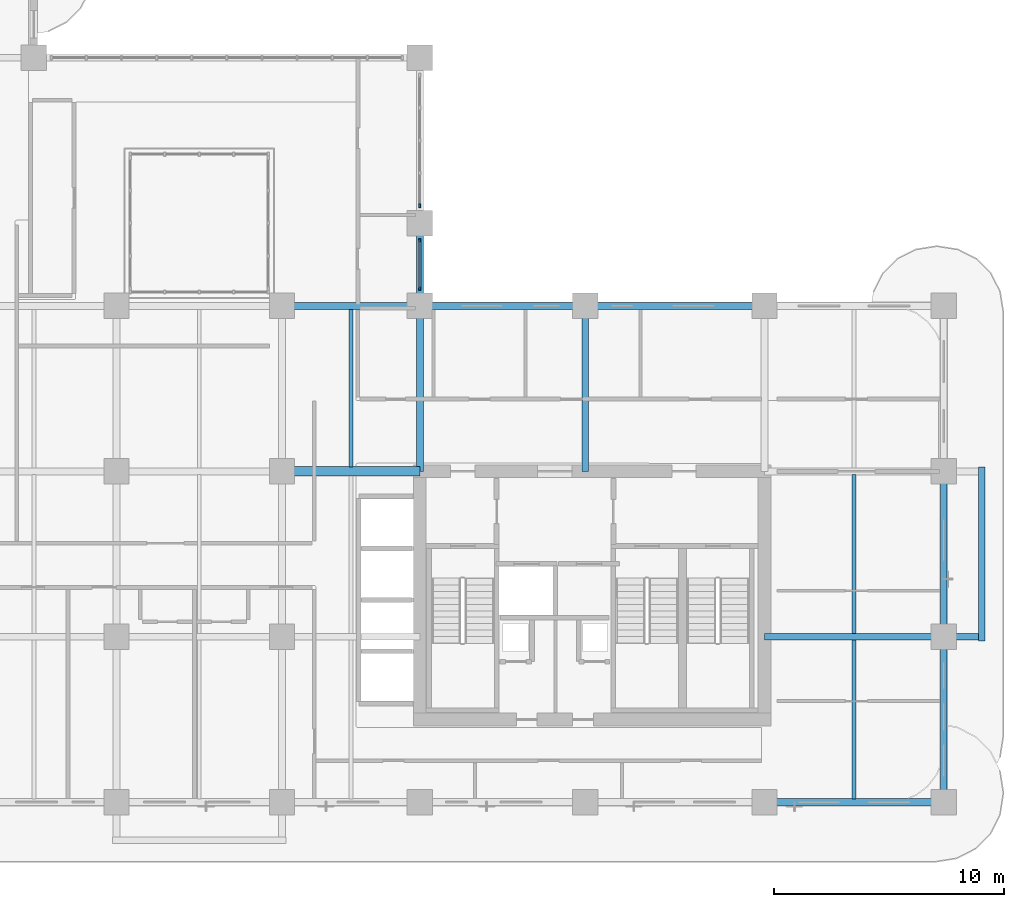
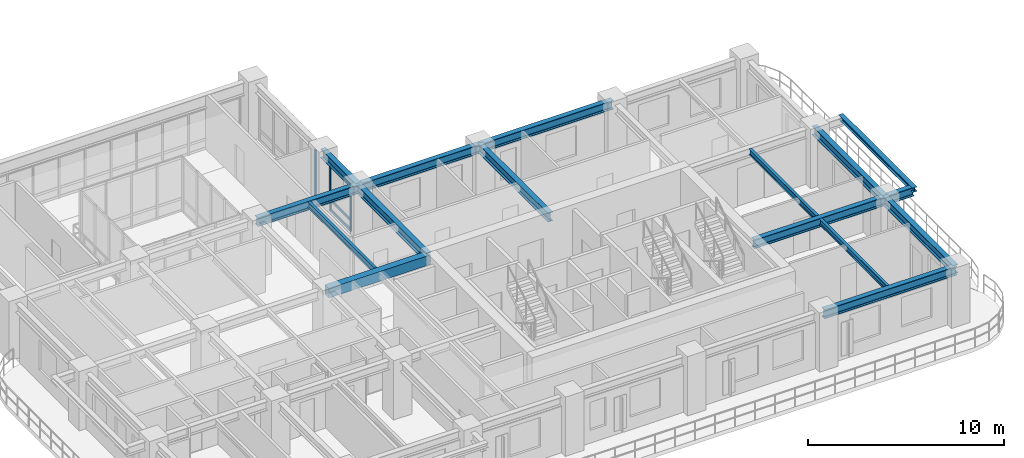
# One storey, part 4 of 22: 15 beams, 6 members, 2 elements without a shape of their own.
"""IFC4 building model written with IfcOpenShell, lengths in metres."""

import ifcopenshell
import ifcopenshell.guid

model = None  # the IFC model being written
_history = None  # IfcOwnerHistory: only IFC2X3 demands one
_inside = {}  # id of a spatial element -> (the spatial element, [elements in it])
_under = {}  # id of a project, library or spatial element -> (it, [spatial elements below it])
_declared = {}  # id of a project -> (the project, [libraries it declares])
_typed = {}  # id of a type object -> (the type object, [elements of that type])
_made_of = {}  # id of a material, layer set ... -> (it, [elements and type objects made of it])


def new_model(schema):
    """Start an empty IFC model of exactly this schema.

    Asked for "IFC4X3", IfcOpenShell would pick the latest addendum, in which some entities
    have other attributes; the version numbers below select the first issue.
    IFC2X3 requires an IfcOwnerHistory on every rooted entity: one is made here for all.
    """
    global model, _history
    if schema == "IFC4X3":
        model = ifcopenshell.file(schema_version=(4, 3, 0, 0))
    else:
        model = ifcopenshell.file(schema=schema)
    _inside.clear()
    _under.clear()
    _declared.clear()
    _typed.clear()
    _made_of.clear()
    _history = None
    if model.schema == "IFC2X3":
        org = make("IfcOrganization", Name="unknown")
        user = make(
            "IfcPersonAndOrganization",
            ThePerson=make("IfcPerson", FamilyName="unknown"),
            TheOrganization=org,
        )
        app = make(
            "IfcApplication",
            ApplicationDeveloper=org,
            Version="unknown",
            ApplicationFullName="unknown",
            ApplicationIdentifier="unknown",
        )
        _history = make(
            "IfcOwnerHistory",
            OwningUser=user,
            OwningApplication=app,
            ChangeAction="ADDED",
            CreationDate=0,
        )
    return model


def make(cls, **values):
    """One entity of the class cls with the attributes given. An attribute that is None is left unset."""
    return model.create_entity(
        cls, **{name: value for name, value in values.items() if value is not None}
    )


def rooted(cls, **values):
    """An entity with a GlobalId (a new one), such as an element, a storey or a relation."""
    return make(cls, GlobalId=ifcopenshell.guid.new(), OwnerHistory=_history, **values)


def si_unit(unit_type, name, prefix=None):
    """IfcSIUnit, for example si_unit("LENGTHUNIT", "METRE", prefix="MILLI")."""
    return make("IfcSIUnit", UnitType=unit_type, Prefix=prefix, Name=name)


def derived_unit(unit_type, elements):
    """IfcDerivedUnit: a product of units, each with its exponent."""
    return make(
        "IfcDerivedUnit",
        Elements=[
            make("IfcDerivedUnitElement", Unit=unit, Exponent=power)
            for unit, power in elements
        ],
        UnitType=unit_type,
    )


def assignment(units):
    """IfcUnitAssignment: the units of a project."""
    return None if units is None else make("IfcUnitAssignment", Units=units)


def point(xyz):
    """IfcCartesianPoint."""
    return None if xyz is None else make("IfcCartesianPoint", Coordinates=xyz)


def direction(xyz):
    """IfcDirection."""
    return None if xyz is None else make("IfcDirection", DirectionRatios=xyz)


def frame(location, z_axis=None, x_axis=None):
    """IfcAxis2Placement3D, a coordinate frame: its origin and axes. An axis left out is left unset."""
    return make(
        "IfcAxis2Placement3D",
        Location=point(location),
        Axis=direction(z_axis),
        RefDirection=direction(x_axis),
    )


def frame_2d(location, x_axis=None):
    """IfcAxis2Placement2D, a coordinate frame in the plane: its origin and x axis."""
    return make(
        "IfcAxis2Placement2D", Location=point(location), RefDirection=direction(x_axis)
    )


def origin():
    """The frame at (0, 0, 0) with its axes left unset."""
    return frame((0.0, 0.0, 0.0))


def origin_2d():
    """The frame at (0, 0) in the plane with its x axis left unset."""
    return frame_2d((0.0, 0.0))


def place(relative_to, where):
    """IfcLocalPlacement: puts the frame where relative to a parent placement (None: the world)."""
    return make(
        "IfcLocalPlacement", PlacementRelTo=relative_to, RelativePlacement=where
    )


def context(
    kind, dimensions, precision=None, world=None, true_north=None, identifier=None
):
    """IfcGeometricRepresentationContext, for example the 3D "Model" context."""
    return make(
        "IfcGeometricRepresentationContext",
        ContextIdentifier=identifier,
        ContextType=kind,
        CoordinateSpaceDimension=dimensions,
        Precision=precision,
        WorldCoordinateSystem=world,
        TrueNorth=true_north,
    )


def subcontext(parent, identifier, kind, view, scale=None):
    """IfcGeometricRepresentationSubContext, for example "Body" below "Model"."""
    return make(
        "IfcGeometricRepresentationSubContext",
        ContextIdentifier=identifier,
        ContextType=kind,
        ParentContext=parent,
        TargetScale=scale,
        TargetView=view,
    )


def project(units=None, contexts=None):
    """IfcProject with its units and contexts."""
    return rooted(
        "IfcProject",
        Name="project",
        RepresentationContexts=contexts,
        UnitsInContext=assignment(units),
    )


def spatial(cls, under=None, at=None, **own):
    """A site, building, storey or space (cls), placed at a placement, below another one or the project."""
    s = rooted(cls, ObjectPlacement=at, **own)
    if under is not None:
        _under.setdefault(under.id(), (under, []))[1].append(s)
    return s


def profile(cls, at=None, kind="AREA", **sizes):
    """A parametric profile (cls). Its sizes go by their IFC names, for example OverallWidth=200.0."""
    return make(cls, ProfileType=kind, Position=at, **sizes)


def rectangle(**sizes):
    """IfcRectangleProfileDef."""
    return profile("IfcRectangleProfileDef", **sizes)


def i_section(**sizes):
    """IfcIShapeProfileDef."""
    return profile("IfcIShapeProfileDef", **sizes)


def extrude(swept, where, along, depth):
    """IfcExtrudedAreaSolid: the profile swept, set in the frame where, extruded along a direction by depth."""
    return make(
        "IfcExtrudedAreaSolid",
        SweptArea=swept,
        Position=where,
        ExtrudedDirection=direction(along),
        Depth=depth,
    )


def shape(context_of_items, identifier, shape_type, items):
    """IfcShapeRepresentation: the items that make up one representation, for example the "Body"."""
    return make(
        "IfcShapeRepresentation",
        ContextOfItems=context_of_items,
        RepresentationIdentifier=identifier,
        RepresentationType=shape_type,
        Items=items,
    )


def source(mapping_origin, context_of_items, identifier, shape_type, items):
    """IfcRepresentationMap: a shape defined once, which mapped items show again and again."""
    return make(
        "IfcRepresentationMap",
        MappingOrigin=mapping_origin,
        MappedRepresentation=shape(context_of_items, identifier, shape_type, items),
    )


def transform(
    local_origin,
    x_axis=None,
    y_axis=None,
    z_axis=None,
    scale=None,
    scale2=None,
    scale3=None,
    uniform=True,
):
    """IfcCartesianTransformationOperator3D, or its non-uniform kind. x_axis, y_axis, z_axis: its Axis1, 2, 3."""
    if uniform:
        return make(
            "IfcCartesianTransformationOperator3D",
            Axis1=direction(x_axis),
            Axis2=direction(y_axis),
            LocalOrigin=point(local_origin),
            Scale=scale,
            Axis3=direction(z_axis),
        )
    return make(
        "IfcCartesianTransformationOperator3DnonUniform",
        Axis1=direction(x_axis),
        Axis2=direction(y_axis),
        LocalOrigin=point(local_origin),
        Scale=scale,
        Axis3=direction(z_axis),
        Scale2=scale2,
        Scale3=scale3,
    )


def mapped(mapping_source, mapping_target):
    """IfcMappedItem: shows the shape of a source again, moved by a transform."""
    return make(
        "IfcMappedItem", MappingSource=mapping_source, MappingTarget=mapping_target
    )


def material(Name=None, Category=None):
    """IfcMaterial."""
    return make("IfcMaterial", Name=Name, Category=Category)


def layer(
    of_material, thickness, ventilated=None, Name=None, Category=None, Priority=None
):
    """IfcMaterialLayer: one layer of a wall or slab, of a material (None: an air gap)."""
    return make(
        "IfcMaterialLayer",
        Material=of_material,
        LayerThickness=thickness,
        IsVentilated=ventilated,
        Name=Name,
        Category=Category,
        Priority=Priority,
    )


def layer_set(layers, Name=None):
    """IfcMaterialLayerSet."""
    return make("IfcMaterialLayerSet", MaterialLayers=layers, LayerSetName=Name)


def material_profile(
    of_material, cross_section, Name=None, Category=None, Priority=None
):
    """IfcMaterialProfile: a cross section and its material."""
    return make(
        "IfcMaterialProfile",
        Name=Name,
        Material=of_material,
        Profile=cross_section,
        Priority=Priority,
        Category=Category,
    )


def profile_set(profiles, Name=None, composite=None):
    """IfcMaterialProfileSet."""
    return make(
        "IfcMaterialProfileSet",
        Name=Name,
        MaterialProfiles=profiles,
        CompositeProfile=composite,
    )


def made_of(thing, what):
    """Note that an element or type object is made of a material, layer set ...; save() writes the relation."""
    if what is not None:
        _made_of.setdefault(what.id(), (what, []))[1].append(thing)
    return thing


def type_object(cls, material=None, **own):
    """A type object (cls), such as IfcWallType, which elements share."""
    return made_of(rooted(cls, **own), material)


def type_shapes(of_type, sources):
    """Give a type object the sources (RepresentationMaps) that its elements show as mapped items."""
    of_type.RepresentationMaps = sources


def element(
    cls,
    number,
    at=None,
    inside=None,
    cuts=None,
    type_object=None,
    material=None,
    context=None,
    identifier="Body",
    shape_type=None,
    held_by="IfcProductDefinitionShape",
    body=None,
    shapes=None,
    **own,
):
    """One element of the class cls, such as IfcWall. Its Tag is "e" and its number.

    at: its placement. inside: the storey or other place that contains it. cuts: it is an
    opening in that element (IfcRelVoidsElement). A single representation is given by context,
    identifier, shape_type and body (its items); several are given by shapes. held_by: the class
    of the entity that holds the representations. save() writes the other relations.
    """
    e = rooted(cls, Tag="e%d" % number, ObjectPlacement=at, **own)
    if body is not None:
        shapes = [shape(context, identifier, shape_type, body)]
    if shapes is not None:
        e.Representation = make(held_by, Representations=shapes)
    if inside is not None:
        _inside.setdefault(inside.id(), (inside, []))[1].append(e)
    if cuts is not None:
        rooted(
            "IfcRelVoidsElement", RelatingBuildingElement=cuts, RelatedOpeningElement=e
        )
    if type_object is not None:
        _typed.setdefault(type_object.id(), (type_object, []))[1].append(e)
    return made_of(e, material)


def aggregate(whole, parts):
    """IfcRelAggregates: a whole, such as a stair, and the parts it consists of."""
    return rooted("IfcRelAggregates", RelatingObject=whole, RelatedObjects=parts)


def save(model, path):
    """Write the relations noted so far, then the file.

    IfcRelAggregates (storeys below a building ...), IfcRelContainedInSpatialStructure (elements
    in a storey), IfcRelDefinesByType, IfcRelAssociatesMaterial and IfcRelDeclares: one each for
    every whole, place, type object, material and project.
    """
    for whole, parts in _under.values():
        aggregate(whole, parts)
    for where, things in _inside.values():
        rooted(
            "IfcRelContainedInSpatialStructure",
            RelatedElements=things,
            RelatingStructure=where,
        )
    for kind, things in _typed.values():
        rooted("IfcRelDefinesByType", RelatedObjects=things, RelatingType=kind)
    for what, things in _made_of.values():
        rooted("IfcRelAssociatesMaterial", RelatedObjects=things, RelatingMaterial=what)
    for by, libraries in _declared.values():
        rooted("IfcRelDeclares", RelatingContext=by, RelatedDefinitions=libraries)
    model.write(path)


model = new_model("IFC4")

# Units and contexts
model_context = context("Model", 3, precision=1e-05, world=origin(), true_north=direction((0.0, 1.0)))
body_context = subcontext(model_context, "Body", "Model", "MODEL_VIEW")
ifc_project = project(units=[si_unit("LENGTHUNIT", "METRE"), si_unit("AREAUNIT", "SQUARE_METRE"), si_unit("VOLUMEUNIT", "CUBIC_METRE"), si_unit("PLANEANGLEUNIT", "RADIAN"), si_unit("MASSUNIT", "GRAM", prefix="KILO"), si_unit("THERMODYNAMICTEMPERATUREUNIT", "KELVIN"), si_unit("POWERUNIT", "WATT"), derived_unit("THERMALTRANSMITTANCEUNIT", [(si_unit("POWERUNIT", "WATT"), 1), (si_unit("AREAUNIT", "SQUARE_METRE"), -1), (si_unit("THERMODYNAMICTEMPERATUREUNIT", "KELVIN"), -1)])], contexts=[model_context])

# Site, building, storey
site_placement = place(None, origin())
site = spatial("IfcSite", under=ifc_project, at=site_placement, CompositionType="ELEMENT")
building_placement = place(site_placement, origin())
building = spatial("IfcBuilding", under=site, at=building_placement, Name="Zahravan Archway Hotel and Residences", CompositionType="ELEMENT")
storey_placement = place(building_placement, frame((0.0, 0.0, 76.800048828125)))
storey = spatial("IfcBuildingStorey", under=building, at=storey_placement, Name="L18", CompositionType="ELEMENT", Elevation=76.800048828125)

# Beams
ifc_material_1 = material(Name="Structural Steel S355JR", Category="steel")
ifc_material_profile_1 = material_profile(ifc_material_1, i_section(OverallWidth=0.280029296875, OverallDepth=0.280029296875, WebThickness=0.010498046875, FlangeThickness=0.01806640625, FilletRadius=0.02392578125, at=origin_2d()), Name="HEB 280", Category="steel")
ifc_profile_set_1 = profile_set([ifc_material_profile_1], Name="Structural Steel S355JR")
beam_type_1 = type_object("IfcBeamType", Name="BM-SPN-HEB280", PredefinedType="SPANDREL", material=ifc_profile_set_1)
shared_shape_1 = source(origin(), body_context, "Body", "SweptSolid", [
    extrude(i_section(OverallWidth=0.280029296875, OverallDepth=0.280029296875, WebThickness=0.010498046875, FlangeThickness=0.01806640625, FilletRadius=0.02392578125, at=origin_2d()), origin(), (0.0, 0.0, 1.0), 7.56005859375),
])
type_shapes(beam_type_1, [shared_shape_1])
beam_1_placement = place(storey_placement, frame((59.25, 7.02001953125, 3.31005859375), z_axis=(0.0, 1.0, 0.0), x_axis=(-1.0, 0.0, 0.0)))
element("IfcBeam", 1, at=beam_1_placement, inside=storey, type_object=beam_type_1, Name="L19 EA Balcony Edge Spandrel", PredefinedType="SPANDREL", context=body_context, shape_type="MappedRepresentation", body=[
    mapped(shared_shape_1, transform((0.0, 0.0, 0.0), scale=1.0)),
])
ifc_material_2 = material(Name="Concrete C60/75", Category="concrete")
ifc_material_profile_2 = material_profile(ifc_material_2, rectangle(XDim=0.39990234375, YDim=0.60009765625, at=origin_2d()), Name="RC-LNT-400x600", Category="concrete")
ifc_profile_set_2 = profile_set([ifc_material_profile_2], Name="Concrete C60/75")
beam_type_2 = type_object("IfcBeamType", Name="LNT-RC-400x600", PredefinedType="LINTEL", material=ifc_profile_set_2)
shared_shape_2 = source(origin(), body_context, "Body", "SweptSolid", [
    extrude(rectangle(XDim=0.39990234375, YDim=0.60009765625, at=origin_2d()), origin(), (0.0, 0.0, 1.0), 6.0),
])
type_shapes(beam_type_2, [shared_shape_2])
beam_2_placement = place(storey_placement, frame((28.800048828125, 14.39990234375, 3.14990234375), z_axis=(1.0, 0.0, 0.0), x_axis=(0.0, 1.0, 0.0)))
element("IfcBeam", 2, at=beam_2_placement, inside=storey, type_object=beam_type_2, Name="L18 Core A Coupling Lintel Beam", PredefinedType="LINTEL", context=body_context, shape_type="MappedRepresentation", body=[
    mapped(shared_shape_2, transform((0.0, 0.0, 0.0), scale=1.0)),
])
ifc_material_profile_3 = material_profile(ifc_material_1, i_section(OverallWidth=0.300048828125, OverallDepth=0.550048828125, WebThickness=0.014892578125, FlangeThickness=0.029052734375, FilletRadius=0.027099609375, at=origin_2d()), Name="HEB 550", Category="steel")
ifc_profile_set_3 = profile_set([ifc_material_profile_3], Name="Structural Steel S355JR")
beam_type_3 = type_object("IfcBeamType", Name="BM-PRI-HEB550", PredefinedType="BEAM", material=ifc_profile_set_3)
shared_shape_3 = source(origin(), body_context, "Body", "SweptSolid", [
    extrude(i_section(OverallWidth=0.300048828125, OverallDepth=0.550048828125, WebThickness=0.014892578125, FlangeThickness=0.029052734375, FilletRadius=0.027099609375, at=origin_2d()), origin(), (0.0, 0.0, 1.0), 7.2001953125),
])
type_shapes(beam_type_3, [shared_shape_3])
for number, where, z_axis, x_axis, name in (
    (3, (34.800048828125, 14.39990234375, 3.175048828125), (0.0, 1.0, 0.0), (-1.0, 0.0, 0.0), "L18 Primary Girder NS-45"),
    (4, (42.0, 14.39990234375, 3.175048828125), (0.0, 1.0, 0.0), (-1.0, 0.0, 0.0), "L18 Primary Girder NS-48"),
):
    element("IfcBeam", number, at=place(storey_placement, frame(where, z_axis=z_axis, x_axis=x_axis)), inside=storey, type_object=beam_type_3, Name=name, PredefinedType="BEAM", context=body_context, shape_type="MappedRepresentation", body=[
        mapped(shared_shape_3, transform((0.0, 0.0, 0.0), scale=1.0)),
    ])
shared_shape_4 = source(origin(), body_context, "Body", "SweptSolid", [
    extrude(i_section(OverallWidth=0.300048828125, OverallDepth=0.550048828125, WebThickness=0.014892578125, FlangeThickness=0.029052734375, FilletRadius=0.027099609375, at=origin_2d()), origin(), (0.0, 0.0, 1.0), 7.199951171875),
])
for number, where, z_axis, x_axis, name in (
    (5, (34.800048828125, 21.60009765625, 3.175048828125), (1.0, 0.0, 0.0), (0.0, 1.0, 0.0), "L18 Primary Girder EW-17"),
    (6, (57.60009765625, 0.0, 3.175048828125), (0.0, 1.0, 0.0), (-1.0, 0.0, 0.0), "L18 Primary Girder NS-50"),
    (7, (57.60009765625, 7.199951171875, 3.175048828125), (0.0, 1.0, 0.0), (-1.0, 0.0, 0.0), "L18 Primary Girder NS-51"),
):
    element("IfcBeam", number, at=place(storey_placement, frame(where, z_axis=z_axis, x_axis=x_axis)), inside=storey, type_object=beam_type_3, Name=name, PredefinedType="BEAM", context=body_context, shape_type="MappedRepresentation", body=[
        mapped(shared_shape_4, transform((0.0, 0.0, 0.0), scale=1.0)),
    ])
shared_shape_5 = source(origin(), body_context, "Body", "SweptSolid", [
    extrude(i_section(OverallWidth=0.300048828125, OverallDepth=0.550048828125, WebThickness=0.014892578125, FlangeThickness=0.029052734375, FilletRadius=0.027099609375, at=origin_2d()), origin(), (0.0, 0.0, 1.0), 6.0),
])
beam_3_placement = place(storey_placement, frame((28.800048828125, 21.60009765625, 3.175048828125), z_axis=(1.0, 0.0, 0.0), x_axis=(0.0, 1.0, 0.0)))
element("IfcBeam", 8, at=beam_3_placement, inside=storey, type_object=beam_type_3, Name="L18 Primary Girder EW-16", PredefinedType="BEAM", context=body_context, shape_type="MappedRepresentation", body=[
    mapped(shared_shape_5, transform((0.0, 0.0, 0.0), scale=1.0)),
])
shared_shape_6 = source(origin(), body_context, "Body", "SweptSolid", [
    extrude(i_section(OverallWidth=0.300048828125, OverallDepth=0.550048828125, WebThickness=0.014892578125, FlangeThickness=0.029052734375, FilletRadius=0.027099609375, at=origin_2d()), origin(), (0.0, 0.0, 1.0), 7.800048828125),
])
for number, where, z_axis, x_axis, name in (
    (9, (49.800048828125, 0.0, 3.175048828125), (1.0, 0.0, 0.0), (0.0, 1.0, 0.0), "L18 Primary Girder EW-06"),
    (10, (42.0, 21.60009765625, 3.175048828125), (1.0, 0.0, 0.0), (0.0, 1.0, 0.0), "L18 Primary Girder EW-18"),
):
    element("IfcBeam", number, at=place(storey_placement, frame(where, z_axis=z_axis, x_axis=x_axis)), inside=storey, type_object=beam_type_3, Name=name, PredefinedType="BEAM", context=body_context, shape_type="MappedRepresentation", body=[
        mapped(shared_shape_6, transform((0.0, 0.0, 0.0), scale=1.0)),
    ])
shared_shape_7 = source(origin(), body_context, "Body", "SweptSolid", [
    extrude(i_section(OverallWidth=0.300048828125, OverallDepth=0.550048828125, WebThickness=0.014892578125, FlangeThickness=0.029052734375, FilletRadius=0.027099609375, at=origin_2d()), origin(), (0.0, 0.0, 1.0), 9.449951171875),
])
beam_4_placement = place(storey_placement, frame((49.800048828125, 7.199951171875, 3.175048828125), z_axis=(1.0, 0.0, 0.0), x_axis=(0.0, 1.0, 0.0)))
element("IfcBeam", 11, at=beam_4_placement, inside=storey, type_object=beam_type_3, Name="L18 Primary Girder EW-10", PredefinedType="BEAM", context=body_context, shape_type="MappedRepresentation", body=[
    mapped(shared_shape_7, transform((0.0, 0.0, 0.0), scale=1.0)),
])
shared_shape_8 = source(origin(), body_context, "Body", "SweptSolid", [
    extrude(i_section(OverallWidth=0.300048828125, OverallDepth=0.550048828125, WebThickness=0.014892578125, FlangeThickness=0.029052734375, FilletRadius=0.027099609375, at=origin_2d()), origin(), (0.0, 0.0, 1.0), 3.599853515625),
])
beam_5_placement = place(storey_placement, frame((34.800048828125, 21.60009765625, 3.175048828125), z_axis=(0.0, 1.0, 0.0), x_axis=(-1.0, 0.0, 0.0)))
element("IfcBeam", 12, at=beam_5_placement, inside=storey, type_object=beam_type_3, Name="L18 Primary Girder NS-46", PredefinedType="BEAM", context=body_context, shape_type="MappedRepresentation", body=[
    mapped(shared_shape_8, transform((0.0, 0.0, 0.0), scale=1.0)),
])
ifc_material_profile_4 = material_profile(ifc_material_1, i_section(OverallWidth=0.169921875, OverallDepth=0.360107421875, WebThickness=0.008056640625, FlangeThickness=0.0126953125, FilletRadius=0.01806640625, at=origin_2d()), Name="IPE 360", Category="steel")
ifc_profile_set_4 = profile_set([ifc_material_profile_4], Name="Structural Steel S355JR")
beam_type_4 = type_object("IfcBeamType", Name="BM-JST-IPE360", PredefinedType="JOIST", material=ifc_profile_set_4)
shared_shape_9 = source(origin(), body_context, "Body", "SweptSolid", [
    extrude(i_section(OverallWidth=0.169921875, OverallDepth=0.360107421875, WebThickness=0.008056640625, FlangeThickness=0.0126953125, FilletRadius=0.01806640625, at=origin_2d()), origin(), (0.0, 0.0, 1.0), 6.904052734375),
])
type_shapes(beam_type_4, [shared_shape_9])
for number, where, z_axis, x_axis, name in (
    (13, (53.699951171875, 0.14794921875, 3.27001953125), (0.0, 1.0, 0.0), (-1.0, 0.0, 0.0), "L18 Composite Floor Joist 04"),
    (14, (53.699951171875, 7.347900390625, 3.27001953125), (0.0, 1.0, 0.0), (-1.0, 0.0, 0.0), "L18 Composite Floor Joist 08"),
):
    element("IfcBeam", number, at=place(storey_placement, frame(where, z_axis=z_axis, x_axis=x_axis)), inside=storey, type_object=beam_type_4, Name=name, PredefinedType="JOIST", context=body_context, shape_type="MappedRepresentation", body=[
        mapped(shared_shape_9, transform((0.0, 0.0, 0.0), scale=1.0)),
    ])
shared_shape_10 = source(origin(), body_context, "Body", "SweptSolid", [
    extrude(i_section(OverallWidth=0.169921875, OverallDepth=0.360107421875, WebThickness=0.008056640625, FlangeThickness=0.0126953125, FilletRadius=0.01806640625, at=origin_2d()), origin(), (0.0, 0.0, 1.0), 6.85400390625),
])
beam_6_placement = place(storey_placement, frame((31.800048828125, 14.597900390625, 3.27001953125), z_axis=(0.0, 1.0, 0.0), x_axis=(-1.0, 0.0, 0.0)))
element("IfcBeam", 15, at=beam_6_placement, inside=storey, type_object=beam_type_4, Name="L18 Composite Floor Joist 09", PredefinedType="JOIST", context=body_context, shape_type="MappedRepresentation", body=[
    mapped(shared_shape_10, transform((0.0, 0.0, 0.0), scale=1.0)),
])

# Curtain wall, members
ifc_material_3 = material(Name="Bronze-Anodized Unitised Aluminium & Low-E Glass", Category="aluminium")
ifc_layer = layer(ifc_material_3, 0.179931640625, Name="Bronze-Anodized Unitised Aluminium & Low-E Glass", Category="aluminium")
ifc_layer_set = layer_set([ifc_layer], Name="Bronze-Anodized Unitised Aluminium & Low-E Glass")
curtain_wall_type = type_object("IfcCurtainWallType", Name="CW-ATR-GLAZ", PredefinedType="NOTDEFINED", material=ifc_layer_set)
curtain_wall_1_placement = place(storey_placement, origin())
curtain_wall_1 = element("IfcCurtainWall", 16, at=curtain_wall_1_placement, inside=storey, type_object=curtain_wall_type, Name="L18 Curtain Wall CW-L18-HNG-E-1", PredefinedType="NOTDEFINED")
ifc_material_4 = material(Name="Bronze-Anodized Extruded Aluminium", Category="aluminium")
ifc_material_profile_5 = material_profile(ifc_material_4, rectangle(XDim=0.080078125, YDim=0.159912109375, at=origin_2d()), Name="MUL 80x160", Category="aluminium")
ifc_profile_set_5 = profile_set([ifc_material_profile_5], Name="Bronze-Anodized Extruded Aluminium")
member_type_1 = type_object("IfcMemberType", Name="CWM-MUL-160", PredefinedType="MULLION", material=ifc_profile_set_5)
shared_shape_11 = source(origin(), body_context, "Body", "SweptSolid", [
    extrude(rectangle(XDim=0.080078125, YDim=0.159912109375, at=origin_2d()), origin(), (0.0, 0.0, 1.0), 2.885009765625),
])
member_1_placement = place(storey_placement, frame((34.800048828125, 22.360107421875, 0.0), z_axis=(0.0, 0.0, 1.0), x_axis=(1.0, 0.0, 0.0)))
member_1 = element("IfcMember", 17, at=member_1_placement, type_object=member_type_1, Name="CW-L18-HNG-E-1 Mullion 0", PredefinedType="MULLION", context=body_context, shape_type="MappedRepresentation", body=[
    mapped(shared_shape_11, transform((0.0, 0.0, 0.0), scale=1.0)),
])
member_2_placement = place(storey_placement, frame((34.800048828125, 24.43994140625, 0.0), z_axis=(0.0, 0.0, 1.0), x_axis=(1.0, 0.0, 0.0)))
member_2 = element("IfcMember", 18, at=member_2_placement, type_object=member_type_1, Name="CW-L18-HNG-E-1 Mullion 1", PredefinedType="MULLION", context=body_context, shape_type="MappedRepresentation", body=[
    mapped(shared_shape_11, transform((0.0, 0.0, 0.0), scale=1.0)),
])

# Curtain wall, member
curtain_wall_2_placement = place(storey_placement, origin())
curtain_wall_2 = element("IfcCurtainWall", 19, at=curtain_wall_2_placement, inside=storey, type_object=curtain_wall_type, Name="L18 Curtain Wall CW-L18-HNG-E-2", PredefinedType="NOTDEFINED")
member_3_placement = place(storey_placement, frame((34.800048828125, 25.9599609375, 0.0), z_axis=(0.0, 0.0, 1.0), x_axis=(1.0, 0.0, 0.0)))
member_3 = element("IfcMember", 20, at=member_3_placement, type_object=member_type_1, Name="CW-L18-HNG-E-2 Mullion 0", PredefinedType="MULLION", context=body_context, shape_type="MappedRepresentation", body=[
    mapped(shared_shape_11, transform((0.0, 0.0, 0.0), scale=1.0)),
])
aggregate(curtain_wall_2, [member_3])

# Member
ifc_material_profile_6 = material_profile(ifc_material_4, rectangle(XDim=0.080078125, YDim=0.139892578125, at=origin_2d()), Name="TRN 80x140", Category="aluminium")
ifc_profile_set_6 = profile_set([ifc_material_profile_6], Name="Bronze-Anodized Extruded Aluminium")
member_type_2 = type_object("IfcMemberType", Name="CWM-TRN-140", PredefinedType="USERDEFINED", material=ifc_profile_set_6)
shared_shape_12 = source(origin(), body_context, "Body", "SweptSolid", [
    extrude(rectangle(XDim=0.080078125, YDim=0.139892578125, at=origin_2d()), origin(), (0.0, 0.0, 1.0), 2.0),
])
member_4_placement = place(storey_placement, frame((34.800048828125, 22.39990234375, 0.070068359375), z_axis=(0.0, 1.0, 0.0), x_axis=(-1.0, 0.0, 0.0)))
member_4 = element("IfcMember", 21, at=member_4_placement, type_object=member_type_2, Name="CW-L18-HNG-E-1 Transom 0-1", ObjectType="TRANSOM", PredefinedType="USERDEFINED", context=body_context, shape_type="MappedRepresentation", body=[
    mapped(shared_shape_12, transform((0.0, 0.0, 0.0), scale=1.0)),
])

member_5_placement = place(storey_placement, frame((34.800048828125, 22.39990234375, 0.6923828125), z_axis=(0.0, 1.0, 0.0), x_axis=(-1.0, 0.0, 0.0)))
member_5 = element("IfcMember", 22, at=member_5_placement, type_object=member_type_2, Name="CW-L18-HNG-E-1 Transom 0-2", ObjectType="TRANSOM", PredefinedType="USERDEFINED", context=body_context, shape_type="MappedRepresentation", body=[
    mapped(shared_shape_12, transform((0.0, 0.0, 0.0), scale=1.0)),
])

member_6_placement = place(storey_placement, frame((34.800048828125, 22.39990234375, 2.81494140625), z_axis=(0.0, 1.0, 0.0), x_axis=(-1.0, 0.0, 0.0)))
member_6 = element("IfcMember", 23, at=member_6_placement, type_object=member_type_2, Name="CW-L18-HNG-E-1 Transom 0-3", ObjectType="TRANSOM", PredefinedType="USERDEFINED", context=body_context, shape_type="MappedRepresentation", body=[
    mapped(shared_shape_12, transform((0.0, 0.0, 0.0), scale=1.0)),
])

aggregate(curtain_wall_1, [member_1, member_2, member_4, member_5, member_6])

save(model, "model.ifc")
